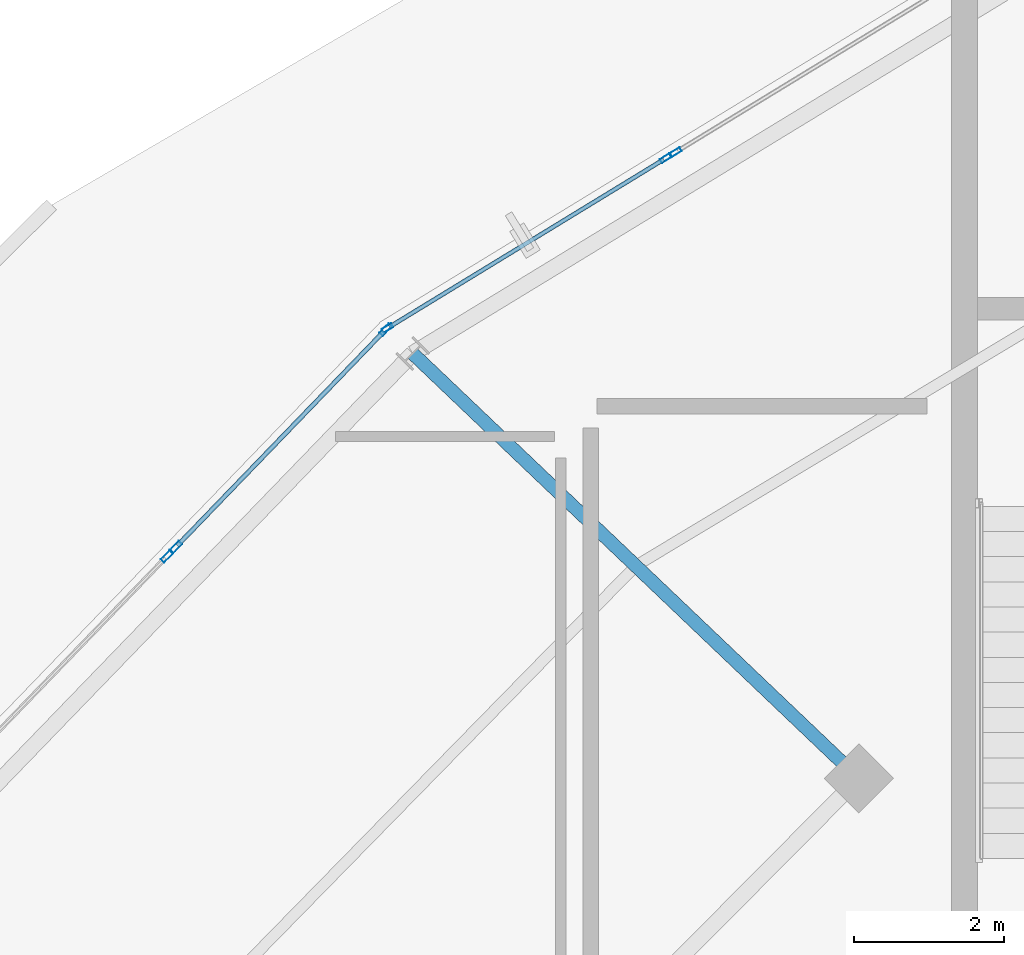
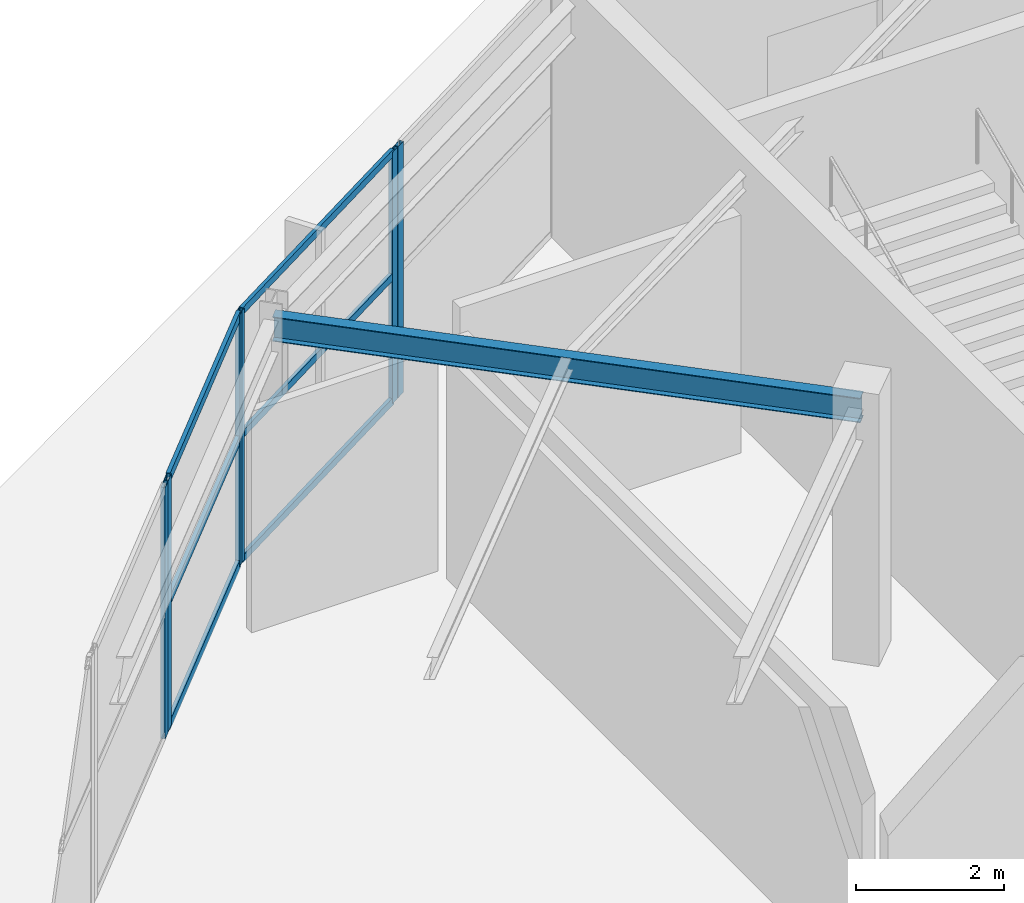
# One storey, part 61 of 126: 12 members, 1 beam, 4 elements without a shape of their own.
"""IFC4 building model written with IfcOpenShell, lengths in metres."""

from ifc_helpers import new_model, si_unit, direction, frame, origin, origin_2d, place, context, subcontext, project, spatial, hollow_rectangle, i_section, extrude, material, layer, layer_set, material_profile, profile_set, type_object, element, aggregate, save


model = new_model("IFC4")

# Units and contexts
model_context = context("Model", 3, precision=1e-05, world=origin(), true_north=direction((0.0, 1.0)))
body_context = subcontext(model_context, "Body", "Model", "MODEL_VIEW")
ifc_project = project(units=[si_unit("LENGTHUNIT", "METRE"), si_unit("AREAUNIT", "SQUARE_METRE"), si_unit("VOLUMEUNIT", "CUBIC_METRE"), si_unit("PLANEANGLEUNIT", "RADIAN"), si_unit("MASSUNIT", "GRAM", prefix="KILO")], contexts=[model_context])

# Site, building, storey
site_placement = place(None, origin())
site = spatial("IfcSite", under=ifc_project, at=site_placement, CompositionType="ELEMENT")
building_placement = place(site_placement, origin())
building = spatial("IfcBuilding", under=site, at=building_placement, Name="Kalgoora Escarpment Arena", CompositionType="ELEMENT")
storey_placement = place(building_placement, frame((0.0, 0.0, 18.89990234375)))
storey = spatial("IfcBuildingStorey", under=building, at=storey_placement, Name="L04", CompositionType="ELEMENT", Elevation=18.89990234375)

# Beam
ifc_material_1 = material(Name="Structural steel AS/NZS 3679 (300 MPa)", Category="steel")
ifc_material_profile_1 = material_profile(ifc_material_1, i_section(OverallWidth=0.177978515625, OverallDepth=0.406005859375, WebThickness=0.0078125, FlangeThickness=0.0126953125, at=origin_2d()))
ifc_profile_set_1 = profile_set([ifc_material_profile_1], Name="Structural steel AS/NZS 3679 (300 MPa)")
beam_type = type_object("IfcBeamType", Name="BM-GIRDER-410UB59.7", PredefinedType="USERDEFINED", material=ifc_profile_set_1)
beam_placement = place(storey_placement, frame((47.5693359375, 98.648193359375, 4.01708984375), z_axis=(-0.724130144905, 0.689663347757, 0.0), x_axis=(-0.689663347757, -0.724130144905, 0.0)))
element("IfcBeam", 1, at=beam_placement, inside=storey, type_object=beam_type, Name="L04 Radial concourse girder 410UB59.7", ObjectType="GIRDER", PredefinedType="USERDEFINED", context=body_context, shape_type="SweptSolid", body=[
    extrude(i_section(OverallWidth=0.177978515625, OverallDepth=0.406005859375, WebThickness=0.0078125, FlangeThickness=0.0126953125, at=origin_2d()), origin(), (0.0, 0.0, 1.0), 8.20263671875),
])

# Curtain wall, members
ifc_material_2 = material(Name=" Champagne anodised aluminium & double-glazed low-E", Category="aluminium")
ifc_layer_1 = layer(ifc_material_2, 0.154052734375)
ifc_layer_set_1 = layer_set([ifc_layer_1], Name="CW-UNIT-11")
curtain_wall_type_1 = type_object("IfcCurtainWallType", Name="CW-UNIT-11", PredefinedType="NOTDEFINED", material=ifc_layer_set_1)
curtain_wall_1_placement = place(storey_placement, origin())
curtain_wall_1 = element("IfcCurtainWall", 2, at=curtain_wall_1_placement, inside=storey, type_object=curtain_wall_type_1, Name="L04 unitised facade curtain wall 150", PredefinedType="NOTDEFINED")
ifc_material_3 = material(Name="Anodised aluminium 6063-T6", Category="aluminium")
ifc_material_profile_2 = material_profile(ifc_material_3, hollow_rectangle(XDim=0.06005859375, YDim=0.14990234375, WallThickness=0.00341796875, at=origin_2d()))
ifc_profile_set_2 = profile_set([ifc_material_profile_2], Name="Anodised aluminium 6063-T6")
member_type_1 = type_object("IfcMemberType", Name="MEM-CW-MULL-150", PredefinedType="MULLION", material=ifc_profile_set_2)
member_1_placement = place(storey_placement, frame((41.293701171875, 104.642578125, 0.02001953125), z_axis=(0.0, 0.0, 1.0), x_axis=(-0.521039836105, 0.85353235978, 0.0)))
member_1 = element("IfcMember", 3, at=member_1_placement, type_object=member_type_1, Name="CW-11 mullion 1", PredefinedType="MULLION", context=body_context, shape_type="SweptSolid", body=[
    extrude(hollow_rectangle(XDim=0.06005859375, YDim=0.14990234375, WallThickness=0.00341796875, at=origin_2d()), origin(), (0.0, 0.0, 1.0), 4.16015625),
])
member_2_placement = place(storey_placement, frame((44.9970703125, 106.9033203125, 0.02001953125), z_axis=(0.0, 0.0, 1.0), x_axis=(-0.521039836105, 0.85353235978, 0.0)))
member_2 = element("IfcMember", 4, at=member_2_placement, type_object=member_type_1, Name="CW-11 mullion 2", PredefinedType="MULLION", context=body_context, shape_type="SweptSolid", body=[
    extrude(hollow_rectangle(XDim=0.06005859375, YDim=0.14990234375, WallThickness=0.00341796875, at=origin_2d()), origin(), (0.0, 0.0, 1.0), 4.16015625),
])

# Curtain wall, member
ifc_material_4 = material(Name=" Champagne anodised aluminium & double-glazed low-E", Category="aluminium")
ifc_layer_2 = layer(ifc_material_4, 0.157958984375)
ifc_layer_set_2 = layer_set([ifc_layer_2], Name="CW-UNIT-12")
curtain_wall_type_2 = type_object("IfcCurtainWallType", Name="CW-UNIT-12", PredefinedType="NOTDEFINED", material=ifc_layer_set_2)
curtain_wall_2_placement = place(storey_placement, origin())
curtain_wall_2 = element("IfcCurtainWall", 5, at=curtain_wall_2_placement, inside=storey, type_object=curtain_wall_type_2, Name="L04 unitised facade curtain wall 151", PredefinedType="NOTDEFINED")
member_3_placement = place(storey_placement, frame((45.133544921875, 106.98681640625, 0.02001953125), z_axis=(0.0, 0.0, 1.0), x_axis=(-0.52106650732, 0.853516077733, 0.0)))
member_3 = element("IfcMember", 6, at=member_3_placement, type_object=member_type_1, Name="CW-12 mullion 1", PredefinedType="MULLION", context=body_context, shape_type="SweptSolid", body=[
    extrude(hollow_rectangle(XDim=0.06005859375, YDim=0.14990234375, WallThickness=0.00341796875, at=origin_2d()), origin(), (0.0, 0.0, 1.0), 4.16015625),
])
aggregate(curtain_wall_2, [member_3])

ifc_material_5 = material(Name=" Champagne anodised aluminium & double-glazed low-E", Category="aluminium")
ifc_layer_3 = layer(ifc_material_5, 0.166015625)
ifc_layer_set_3 = layer_set([ifc_layer_3], Name="CW-UNIT-09")
curtain_wall_type_3 = type_object("IfcCurtainWallType", Name="CW-UNIT-09", PredefinedType="NOTDEFINED", material=ifc_layer_set_3)
curtain_wall_3_placement = place(storey_placement, origin())
curtain_wall_3 = element("IfcCurtainWall", 7, at=curtain_wall_3_placement, inside=storey, type_object=curtain_wall_type_3, Name="L04 unitised facade curtain wall 148", PredefinedType="NOTDEFINED")
ifc_material_6 = material(Name="Anodised aluminium 6063-T6", Category="aluminium")
ifc_material_profile_3 = material_profile(ifc_material_6, hollow_rectangle(XDim=0.06494140625, YDim=0.179931640625, WallThickness=0.00390625, at=origin_2d()))
ifc_profile_set_3 = profile_set([ifc_material_profile_3], Name="Anodised aluminium 6063-T6")
member_type_2 = type_object("IfcMemberType", Name="MEM-CW-MULL-180", PredefinedType="MULLION", material=ifc_profile_set_3)
member_4_placement = place(storey_placement, frame((38.358154296875, 101.6044921875, 0.02001953125), z_axis=(0.0, 0.0, 1.0), x_axis=(-0.719777208849, 0.694205135116, 0.0)))
member_4 = element("IfcMember", 8, at=member_4_placement, type_object=member_type_2, Name="CW-09 mullion 2", PredefinedType="MULLION", context=body_context, shape_type="SweptSolid", body=[
    extrude(hollow_rectangle(XDim=0.06494140625, YDim=0.179931640625, WallThickness=0.00390625, at=origin_2d()), origin(), (0.0, 0.0, 1.0), 4.16015625),
])
aggregate(curtain_wall_3, [member_4])

# Curtain wall, members
ifc_material_7 = material(Name=" Champagne anodised aluminium & double-glazed low-E", Category="aluminium")
ifc_layer_4 = layer(ifc_material_7, 0.14990234375)
ifc_layer_set_4 = layer_set([ifc_layer_4], Name="CW-UNIT-10")
curtain_wall_type_4 = type_object("IfcCurtainWallType", Name="CW-UNIT-10", PredefinedType="NOTDEFINED", material=ifc_layer_set_4)
curtain_wall_4_placement = place(storey_placement, origin())
curtain_wall_4 = element("IfcCurtainWall", 9, at=curtain_wall_4_placement, inside=storey, type_object=curtain_wall_type_4, Name="L04 unitised facade curtain wall 149", PredefinedType="NOTDEFINED")
member_5_placement = place(storey_placement, frame((38.47265625, 101.72314453125, 0.02001953125), z_axis=(0.0, 0.0, 1.0), x_axis=(-0.719779772297, 0.69420247723, 0.0)))
member_5 = element("IfcMember", 10, at=member_5_placement, type_object=member_type_2, Name="CW-10 mullion 1", PredefinedType="MULLION", context=body_context, shape_type="SweptSolid", body=[
    extrude(hollow_rectangle(XDim=0.06494140625, YDim=0.179931640625, WallThickness=0.00390625, at=origin_2d()), origin(), (0.0, 0.0, 1.0), 4.16015625),
])
member_6_placement = place(storey_placement, frame((41.269287109375, 104.622802734375, 0.02001953125), z_axis=(0.0, 0.0, 1.0), x_axis=(-0.719779772297, 0.69420247723, 0.0)))
member_6 = element("IfcMember", 11, at=member_6_placement, type_object=member_type_2, Name="CW-10 mullion 2", PredefinedType="MULLION", context=body_context, shape_type="SweptSolid", body=[
    extrude(hollow_rectangle(XDim=0.06494140625, YDim=0.179931640625, WallThickness=0.00390625, at=origin_2d()), origin(), (0.0, 0.0, 1.0), 4.16015625),
])

# Member
ifc_material_8 = material(Name="Anodised aluminium 6063-T6", Category="aluminium")
ifc_material_profile_4 = material_profile(ifc_material_8, hollow_rectangle(XDim=0.054931640625, YDim=0.1201171875, WallThickness=0.003173828125, at=origin_2d()))
ifc_profile_set_4 = profile_set([ifc_material_profile_4], Name="Anodised aluminium 6063-T6")
member_type_3 = type_object("IfcMemberType", Name="MEM-CW-TRAN-120", PredefinedType="USERDEFINED", material=ifc_profile_set_4)
member_7_placement = place(storey_placement, frame((41.319091796875, 104.658203125, 0.047607421875), z_axis=(0.853541231602, 0.521025302606, 0.0), x_axis=(-0.521025302606, 0.853541231602, 0.0)))
member_7 = element("IfcMember", 12, at=member_7_placement, type_object=member_type_3, Name="CW-11 transom 1.1", ObjectType="TRANSOM", PredefinedType="USERDEFINED", context=body_context, shape_type="SweptSolid", body=[
    extrude(hollow_rectangle(XDim=0.054931640625, YDim=0.1201171875, WallThickness=0.003173828125, at=origin_2d()), origin(), (0.0, 0.0, 1.0), 4.279052734375),
])

member_8_placement = place(storey_placement, frame((41.319091796875, 104.658203125, 2.110107421875), z_axis=(0.853541231602, 0.521025302606, 0.0), x_axis=(-0.521025302606, 0.853541231602, 0.0)))
member_8 = element("IfcMember", 13, at=member_8_placement, type_object=member_type_3, Name="CW-11 transom 1.2", ObjectType="TRANSOM", PredefinedType="USERDEFINED", context=body_context, shape_type="SweptSolid", body=[
    extrude(hollow_rectangle(XDim=0.054931640625, YDim=0.1201171875, WallThickness=0.003173828125, at=origin_2d()), origin(), (0.0, 0.0, 1.0), 4.279052734375),
])

member_9_placement = place(storey_placement, frame((41.319091796875, 104.658203125, 4.152587890625), z_axis=(0.853541231602, 0.521025302606, 0.0), x_axis=(-0.521025302606, 0.853541231602, 0.0)))
member_9 = element("IfcMember", 14, at=member_9_placement, type_object=member_type_3, Name="CW-11 transom 1.3", ObjectType="TRANSOM", PredefinedType="USERDEFINED", context=body_context, shape_type="SweptSolid", body=[
    extrude(hollow_rectangle(XDim=0.054931640625, YDim=0.1201171875, WallThickness=0.003173828125, at=origin_2d()), origin(), (0.0, 0.0, 1.0), 4.279052734375),
])

aggregate(curtain_wall_1, [member_1, member_2, member_7, member_8, member_9])

ifc_material_9 = material(Name="Anodised aluminium 6063-T6", Category="aluminium")
ifc_material_profile_5 = material_profile(ifc_material_9, hollow_rectangle(XDim=0.06005859375, YDim=0.14990234375, WallThickness=0.00341796875, at=origin_2d()))
ifc_profile_set_5 = profile_set([ifc_material_profile_5], Name="Anodised aluminium 6063-T6")
member_type_4 = type_object("IfcMemberType", Name="MEM-CW-TRAN-150", PredefinedType="USERDEFINED", material=ifc_profile_set_5)
member_10_placement = place(storey_placement, frame((38.495361328125, 101.74658203125, 0.050048828125), z_axis=(0.694209663664, 0.719772841163, 0.0), x_axis=(-0.719772841163, 0.694209663664, 0.0)))
member_10 = element("IfcMember", 15, at=member_10_placement, type_object=member_type_4, Name="CW-10 transom 1.1", ObjectType="TRANSOM", PredefinedType="USERDEFINED", context=body_context, shape_type="SweptSolid", body=[
    extrude(hollow_rectangle(XDim=0.06005859375, YDim=0.14990234375, WallThickness=0.00341796875, at=origin_2d()), origin(), (0.0, 0.0, 1.0), 3.96337890625),
])

member_11_placement = place(storey_placement, frame((38.495361328125, 101.74658203125, 2.110107421875), z_axis=(0.694209663664, 0.719772841163, 0.0), x_axis=(-0.719772841163, 0.694209663664, 0.0)))
member_11 = element("IfcMember", 16, at=member_11_placement, type_object=member_type_4, Name="CW-10 transom 1.2", ObjectType="TRANSOM", PredefinedType="USERDEFINED", context=body_context, shape_type="SweptSolid", body=[
    extrude(hollow_rectangle(XDim=0.06005859375, YDim=0.14990234375, WallThickness=0.00341796875, at=origin_2d()), origin(), (0.0, 0.0, 1.0), 3.96337890625),
])

member_12_placement = place(storey_placement, frame((38.495361328125, 101.74658203125, 4.150146484375), z_axis=(0.694209663664, 0.719772841163, 0.0), x_axis=(-0.719772841163, 0.694209663664, 0.0)))
member_12 = element("IfcMember", 17, at=member_12_placement, type_object=member_type_4, Name="CW-10 transom 1.3", ObjectType="TRANSOM", PredefinedType="USERDEFINED", context=body_context, shape_type="SweptSolid", body=[
    extrude(hollow_rectangle(XDim=0.06005859375, YDim=0.14990234375, WallThickness=0.00341796875, at=origin_2d()), origin(), (0.0, 0.0, 1.0), 3.96337890625),
])

aggregate(curtain_wall_4, [member_5, member_6, member_10, member_11, member_12])

save(model, "model.ifc")
